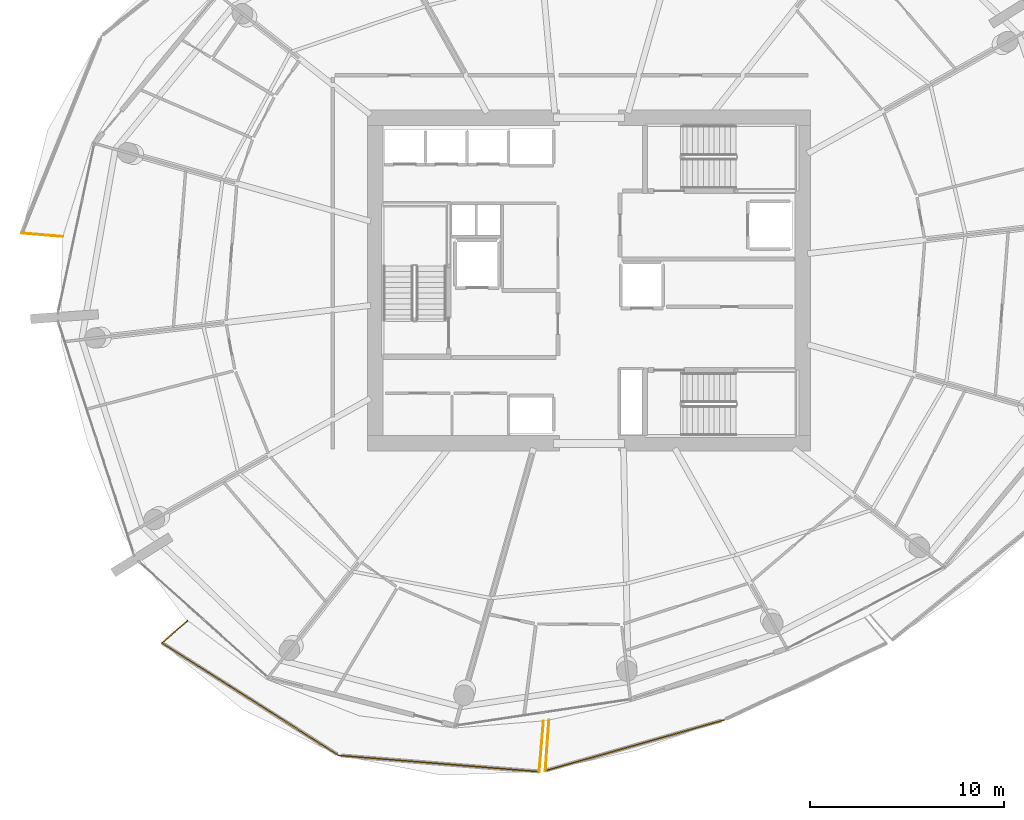
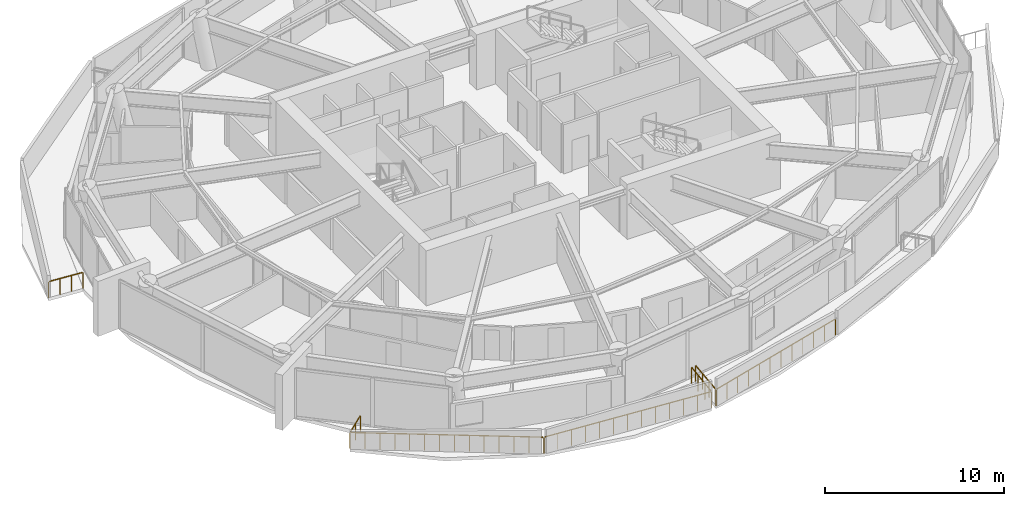
# One storey, part 15 of 19: 7 railings.
"""IFC4 building model written with IfcOpenShell, lengths in metres."""

import ifcopenshell
import ifcopenshell.guid

model = None  # the IFC model being written
_history = None  # IfcOwnerHistory: only IFC2X3 demands one
_inside = {}  # id of a spatial element -> (the spatial element, [elements in it])
_under = {}  # id of a project, library or spatial element -> (it, [spatial elements below it])
_declared = {}  # id of a project -> (the project, [libraries it declares])
_typed = {}  # id of a type object -> (the type object, [elements of that type])
_made_of = {}  # id of a material, layer set ... -> (it, [elements and type objects made of it])


def new_model(schema):
    """Start an empty IFC model of exactly this schema.

    Asked for "IFC4X3", IfcOpenShell would pick the latest addendum, in which some entities
    have other attributes; the version numbers below select the first issue.
    IFC2X3 requires an IfcOwnerHistory on every rooted entity: one is made here for all.
    """
    global model, _history
    if schema == "IFC4X3":
        model = ifcopenshell.file(schema_version=(4, 3, 0, 0))
    else:
        model = ifcopenshell.file(schema=schema)
    _inside.clear()
    _under.clear()
    _declared.clear()
    _typed.clear()
    _made_of.clear()
    _history = None
    if model.schema == "IFC2X3":
        org = make("IfcOrganization", Name="unknown")
        user = make(
            "IfcPersonAndOrganization",
            ThePerson=make("IfcPerson", FamilyName="unknown"),
            TheOrganization=org,
        )
        app = make(
            "IfcApplication",
            ApplicationDeveloper=org,
            Version="unknown",
            ApplicationFullName="unknown",
            ApplicationIdentifier="unknown",
        )
        _history = make(
            "IfcOwnerHistory",
            OwningUser=user,
            OwningApplication=app,
            ChangeAction="ADDED",
            CreationDate=0,
        )
    return model


def make(cls, **values):
    """One entity of the class cls with the attributes given. An attribute that is None is left unset."""
    return model.create_entity(
        cls, **{name: value for name, value in values.items() if value is not None}
    )


def rooted(cls, **values):
    """An entity with a GlobalId (a new one), such as an element, a storey or a relation."""
    return make(cls, GlobalId=ifcopenshell.guid.new(), OwnerHistory=_history, **values)


def si_unit(unit_type, name, prefix=None):
    """IfcSIUnit, for example si_unit("LENGTHUNIT", "METRE", prefix="MILLI")."""
    return make("IfcSIUnit", UnitType=unit_type, Prefix=prefix, Name=name)


def assignment(units):
    """IfcUnitAssignment: the units of a project."""
    return None if units is None else make("IfcUnitAssignment", Units=units)


def point(xyz):
    """IfcCartesianPoint."""
    return None if xyz is None else make("IfcCartesianPoint", Coordinates=xyz)


def direction(xyz):
    """IfcDirection."""
    return None if xyz is None else make("IfcDirection", DirectionRatios=xyz)


def frame(location, z_axis=None, x_axis=None):
    """IfcAxis2Placement3D, a coordinate frame: its origin and axes. An axis left out is left unset."""
    return make(
        "IfcAxis2Placement3D",
        Location=point(location),
        Axis=direction(z_axis),
        RefDirection=direction(x_axis),
    )


def frame_2d(location, x_axis=None):
    """IfcAxis2Placement2D, a coordinate frame in the plane: its origin and x axis."""
    return make(
        "IfcAxis2Placement2D", Location=point(location), RefDirection=direction(x_axis)
    )


def origin():
    """The frame at (0, 0, 0) with its axes left unset."""
    return frame((0.0, 0.0, 0.0))


def origin_2d():
    """The frame at (0, 0) in the plane with its x axis left unset."""
    return frame_2d((0.0, 0.0))


def place(relative_to, where):
    """IfcLocalPlacement: puts the frame where relative to a parent placement (None: the world)."""
    return make(
        "IfcLocalPlacement", PlacementRelTo=relative_to, RelativePlacement=where
    )


def context(
    kind, dimensions, precision=None, world=None, true_north=None, identifier=None
):
    """IfcGeometricRepresentationContext, for example the 3D "Model" context."""
    return make(
        "IfcGeometricRepresentationContext",
        ContextIdentifier=identifier,
        ContextType=kind,
        CoordinateSpaceDimension=dimensions,
        Precision=precision,
        WorldCoordinateSystem=world,
        TrueNorth=true_north,
    )


def subcontext(parent, identifier, kind, view, scale=None):
    """IfcGeometricRepresentationSubContext, for example "Body" below "Model"."""
    return make(
        "IfcGeometricRepresentationSubContext",
        ContextIdentifier=identifier,
        ContextType=kind,
        ParentContext=parent,
        TargetScale=scale,
        TargetView=view,
    )


def project(units=None, contexts=None):
    """IfcProject with its units and contexts."""
    return rooted(
        "IfcProject",
        Name="project",
        RepresentationContexts=contexts,
        UnitsInContext=assignment(units),
    )


def spatial(cls, under=None, at=None, **own):
    """A site, building, storey or space (cls), placed at a placement, below another one or the project."""
    s = rooted(cls, ObjectPlacement=at, **own)
    if under is not None:
        _under.setdefault(under.id(), (under, []))[1].append(s)
    return s


def profile(cls, at=None, kind="AREA", **sizes):
    """A parametric profile (cls). Its sizes go by their IFC names, for example OverallWidth=200.0."""
    return make(cls, ProfileType=kind, Position=at, **sizes)


def rectangle(**sizes):
    """IfcRectangleProfileDef."""
    return profile("IfcRectangleProfileDef", **sizes)


def extrude(swept, where, along, depth):
    """IfcExtrudedAreaSolid: the profile swept, set in the frame where, extruded along a direction by depth."""
    return make(
        "IfcExtrudedAreaSolid",
        SweptArea=swept,
        Position=where,
        ExtrudedDirection=direction(along),
        Depth=depth,
    )


def shape(context_of_items, identifier, shape_type, items):
    """IfcShapeRepresentation: the items that make up one representation, for example the "Body"."""
    return make(
        "IfcShapeRepresentation",
        ContextOfItems=context_of_items,
        RepresentationIdentifier=identifier,
        RepresentationType=shape_type,
        Items=items,
    )


def material(Name=None, Category=None):
    """IfcMaterial."""
    return make("IfcMaterial", Name=Name, Category=Category)


def made_of(thing, what):
    """Note that an element or type object is made of a material, layer set ...; save() writes the relation."""
    if what is not None:
        _made_of.setdefault(what.id(), (what, []))[1].append(thing)
    return thing


def type_object(cls, material=None, **own):
    """A type object (cls), such as IfcWallType, which elements share."""
    return made_of(rooted(cls, **own), material)


def element(
    cls,
    number,
    at=None,
    inside=None,
    cuts=None,
    type_object=None,
    material=None,
    context=None,
    identifier="Body",
    shape_type=None,
    held_by="IfcProductDefinitionShape",
    body=None,
    shapes=None,
    **own,
):
    """One element of the class cls, such as IfcWall. Its Tag is "e" and its number.

    at: its placement. inside: the storey or other place that contains it. cuts: it is an
    opening in that element (IfcRelVoidsElement). A single representation is given by context,
    identifier, shape_type and body (its items); several are given by shapes. held_by: the class
    of the entity that holds the representations. save() writes the other relations.
    """
    e = rooted(cls, Tag="e%d" % number, ObjectPlacement=at, **own)
    if body is not None:
        shapes = [shape(context, identifier, shape_type, body)]
    if shapes is not None:
        e.Representation = make(held_by, Representations=shapes)
    if inside is not None:
        _inside.setdefault(inside.id(), (inside, []))[1].append(e)
    if cuts is not None:
        rooted(
            "IfcRelVoidsElement", RelatingBuildingElement=cuts, RelatedOpeningElement=e
        )
    if type_object is not None:
        _typed.setdefault(type_object.id(), (type_object, []))[1].append(e)
    return made_of(e, material)


def aggregate(whole, parts):
    """IfcRelAggregates: a whole, such as a stair, and the parts it consists of."""
    return rooted("IfcRelAggregates", RelatingObject=whole, RelatedObjects=parts)


def save(model, path):
    """Write the relations noted so far, then the file.

    IfcRelAggregates (storeys below a building ...), IfcRelContainedInSpatialStructure (elements
    in a storey), IfcRelDefinesByType, IfcRelAssociatesMaterial and IfcRelDeclares: one each for
    every whole, place, type object, material and project.
    """
    for whole, parts in _under.values():
        aggregate(whole, parts)
    for where, things in _inside.values():
        rooted(
            "IfcRelContainedInSpatialStructure",
            RelatedElements=things,
            RelatingStructure=where,
        )
    for kind, things in _typed.values():
        rooted("IfcRelDefinesByType", RelatedObjects=things, RelatingType=kind)
    for what, things in _made_of.values():
        rooted("IfcRelAssociatesMaterial", RelatedObjects=things, RelatingMaterial=what)
    for by, libraries in _declared.values():
        rooted("IfcRelDeclares", RelatingContext=by, RelatedDefinitions=libraries)
    model.write(path)


model = new_model("IFC4")

# Units and contexts
model_context = context("Model", 3, precision=1e-05, world=origin(), true_north=direction((0.0, 1.0)))
body_context = subcontext(model_context, "Body", "Model", "MODEL_VIEW")
ifc_project = project(units=[si_unit("LENGTHUNIT", "METRE"), si_unit("AREAUNIT", "SQUARE_METRE"), si_unit("VOLUMEUNIT", "CUBIC_METRE"), si_unit("PLANEANGLEUNIT", "RADIAN"), si_unit("MASSUNIT", "GRAM", prefix="KILO")], contexts=[model_context])

# Site, building, storey
site_placement = place(None, origin())
site = spatial("IfcSite", under=ifc_project, at=site_placement, CompositionType="ELEMENT")
building_placement = place(site_placement, origin())
building = spatial("IfcBuilding", under=site, at=building_placement, Name="Kazma Halo Residences", CompositionType="ELEMENT")
storey_placement = place(building_placement, frame((0.0, 0.0, 172.800048828125)))
storey = spatial("IfcBuildingStorey", under=building, at=storey_placement, Name="L43", CompositionType="ELEMENT", Elevation=172.800048828125)

# Railings
ifc_material = material(Name="Aluminium AW-6063 T6 Brushed Cap Rail", Category="aluminium")
railing_type = type_object("IfcRailingType", Name="RLG-BAL-CAP-1120", PredefinedType="BALUSTRADE", material=ifc_material)
railing_1_placement = place(storey_placement, frame((19.146484375, 44.4482421875, 0.0)))
element("IfcRailing", 1, at=railing_1_placement, inside=storey, type_object=railing_type, Name="L43 NW wave balcony guard 4", PredefinedType="BALUSTRADE", context=body_context, shape_type="SweptSolid", body=[
    extrude(rectangle(XDim=0.050048828125, YDim=0.050048828125, at=origin_2d()), frame((0.04248046875, -0.003662109375, 1.09521484375), z_axis=(0.99641798838, -0.084564723334, 0.0), x_axis=(0.084564723334, 0.99641798838, 0.0)), (0.0, 0.0, 1.0), 2.042724609375),
    extrude(rectangle(XDim=0.0400390625, YDim=0.0400390625, at=origin_2d()), origin(), (0.0, 0.0, 1.0), 1.05810546875),
    extrude(rectangle(XDim=0.0400390625, YDim=0.0400390625, at=origin_2d()), frame((0.706787109375, -0.06005859375, 0.0)), (0.0, 0.0, 1.0), 1.05810546875),
    extrude(rectangle(XDim=0.0400390625, YDim=0.0400390625, at=origin_2d()), frame((1.413330078125, -0.119873046875, 0.0)), (0.0, 0.0, 1.0), 1.05810546875),
    extrude(rectangle(XDim=0.0400390625, YDim=0.0400390625, at=origin_2d()), frame((2.1201171875, -0.179931640625, 0.0)), (0.0, 0.0, 1.0), 1.05810546875),
])
railing_2_placement = place(storey_placement, frame((27.705322265625, 24.451416015625, 0.0)))
element("IfcRailing", 2, at=railing_2_placement, inside=storey, type_object=railing_type, Name="L43 SW wave balcony guard 1", PredefinedType="BALUSTRADE", context=body_context, shape_type="SweptSolid", body=[
    extrude(rectangle(XDim=0.050048828125, YDim=0.050048828125, at=origin_2d()), frame((-0.0322265625, -0.02783203125, 1.09521484375), z_axis=(-0.756385467326, -0.654126153595, 0.0), x_axis=(0.654126153595, -0.756385467326, 0.0)), (0.0, 0.0, 1.0), 1.672119140625),
    extrude(rectangle(XDim=0.0400390625, YDim=0.0400390625, at=origin_2d()), origin(), (0.0, 0.0, 1.0), 1.05810546875),
    extrude(rectangle(XDim=0.0400390625, YDim=0.0400390625, at=origin_2d()), frame((-0.66455078125, -0.57470703125, 0.0)), (0.0, 0.0, 1.0), 1.05810546875),
    extrude(rectangle(XDim=0.0400390625, YDim=0.0400390625, at=origin_2d()), frame((-1.3291015625, -1.1494140625, 0.0)), (0.0, 0.0, 1.0), 1.05810546875),
])
railing_3_placement = place(storey_placement, frame((26.376220703125, 23.302001953125, 0.0)))
element("IfcRailing", 3, at=railing_3_placement, inside=storey, type_object=railing_type, Name="L43 SW wave balcony guard 2", PredefinedType="BALUSTRADE", context=body_context, shape_type="SweptSolid", body=[
    extrude(rectangle(XDim=0.050048828125, YDim=0.050048828125, at=origin_2d()), frame((0.035888671875, -0.022705078125, 1.09521484375), z_axis=(0.844056806548, -0.53625377138, 0.0), x_axis=(0.53625377138, 0.844056806548, 0.0)), (0.0, 0.0, 1.0), 10.74169921875),
    extrude(rectangle(XDim=0.0400390625, YDim=0.0400390625, at=origin_2d()), origin(), (0.0, 0.0, 1.0), 1.05810546875),
    extrude(rectangle(XDim=0.0400390625, YDim=0.0400390625, at=origin_2d()), frame((0.702880859375, -0.446533203125, 0.0)), (0.0, 0.0, 1.0), 1.05810546875),
    extrude(rectangle(XDim=0.0400390625, YDim=0.0400390625, at=origin_2d()), frame((1.406005859375, -0.893310546875, 0.0)), (0.0, 0.0, 1.0), 1.05810546875),
    extrude(rectangle(XDim=0.0400390625, YDim=0.0400390625, at=origin_2d()), frame((2.10888671875, -1.33984375, 0.0)), (0.0, 0.0, 1.0), 1.05810546875),
    extrude(rectangle(XDim=0.0400390625, YDim=0.0400390625, at=origin_2d()), frame((2.811767578125, -1.786376953125, 0.0)), (0.0, 0.0, 1.0), 1.05810546875),
    extrude(rectangle(XDim=0.0400390625, YDim=0.0400390625, at=origin_2d()), frame((3.514892578125, -2.233154296875, 0.0)), (0.0, 0.0, 1.0), 1.05810546875),
    extrude(rectangle(XDim=0.0400390625, YDim=0.0400390625, at=origin_2d()), frame((4.2177734375, -2.6796875, 0.0)), (0.0, 0.0, 1.0), 1.05810546875),
    extrude(rectangle(XDim=0.0400390625, YDim=0.0400390625, at=origin_2d()), frame((4.920654296875, -3.126220703125, 0.0)), (0.0, 0.0, 1.0), 1.05810546875),
    extrude(rectangle(XDim=0.0400390625, YDim=0.0400390625, at=origin_2d()), frame((5.62353515625, -3.57275390625, 0.0)), (0.0, 0.0, 1.0), 1.05810546875),
    extrude(rectangle(XDim=0.0400390625, YDim=0.0400390625, at=origin_2d()), frame((6.32666015625, -4.01953125, 0.0)), (0.0, 0.0, 1.0), 1.05810546875),
    extrude(rectangle(XDim=0.0400390625, YDim=0.0400390625, at=origin_2d()), frame((7.029541015625, -4.466064453125, 0.0)), (0.0, 0.0, 1.0), 1.05810546875),
    extrude(rectangle(XDim=0.0400390625, YDim=0.0400390625, at=origin_2d()), frame((7.732421875, -4.91259765625, 0.0)), (0.0, 0.0, 1.0), 1.05810546875),
    extrude(rectangle(XDim=0.0400390625, YDim=0.0400390625, at=origin_2d()), frame((8.435546875, -5.359375, 0.0)), (0.0, 0.0, 1.0), 1.05810546875),
    extrude(rectangle(XDim=0.0400390625, YDim=0.0400390625, at=origin_2d()), frame((9.138427734375, -5.805908203125, 0.0)), (0.0, 0.0, 1.0), 1.05810546875),
])
railing_4_placement = place(storey_placement, frame((35.5146484375, 17.49609375, 0.0)))
element("IfcRailing", 4, at=railing_4_placement, inside=storey, type_object=railing_type, Name="L43 SW wave balcony guard 3", PredefinedType="BALUSTRADE", context=body_context, shape_type="SweptSolid", body=[
    extrude(rectangle(XDim=0.050048828125, YDim=0.050048828125, at=origin_2d()), frame((0.04248046875, -0.00341796875, 1.09521484375), z_axis=(0.996744970525, -0.080619251626, 0.0), x_axis=(0.080619251626, 0.996744970525, 0.0)), (0.0, 0.0, 1.0), 10.283935546875),
    extrude(rectangle(XDim=0.0400390625, YDim=0.0400390625, at=origin_2d()), origin(), (0.0, 0.0, 1.0), 1.05810546875),
    extrude(rectangle(XDim=0.0400390625, YDim=0.0400390625, at=origin_2d()), frame((0.861328125, -0.069580078125, 0.0)), (0.0, 0.0, 1.0), 1.05810546875),
    extrude(rectangle(XDim=0.0400390625, YDim=0.0400390625, at=origin_2d()), frame((1.72265625, -0.139404296875, 0.0)), (0.0, 0.0, 1.0), 1.05810546875),
    extrude(rectangle(XDim=0.0400390625, YDim=0.0400390625, at=origin_2d()), frame((2.583740234375, -0.208984375, 0.0)), (0.0, 0.0, 1.0), 1.05810546875),
    extrude(rectangle(XDim=0.0400390625, YDim=0.0400390625, at=origin_2d()), frame((3.445068359375, -0.278564453125, 0.0)), (0.0, 0.0, 1.0), 1.05810546875),
    extrude(rectangle(XDim=0.0400390625, YDim=0.0400390625, at=origin_2d()), frame((4.306396484375, -0.348388671875, 0.0)), (0.0, 0.0, 1.0), 1.05810546875),
    extrude(rectangle(XDim=0.0400390625, YDim=0.0400390625, at=origin_2d()), frame((5.16748046875, -0.41796875, 0.0)), (0.0, 0.0, 1.0), 1.05810546875),
    extrude(rectangle(XDim=0.0400390625, YDim=0.0400390625, at=origin_2d()), frame((6.02880859375, -0.487548828125, 0.0)), (0.0, 0.0, 1.0), 1.05810546875),
    extrude(rectangle(XDim=0.0400390625, YDim=0.0400390625, at=origin_2d()), frame((6.89013671875, -0.557373046875, 0.0)), (0.0, 0.0, 1.0), 1.05810546875),
    extrude(rectangle(XDim=0.0400390625, YDim=0.0400390625, at=origin_2d()), frame((7.75146484375, -0.626953125, 0.0)), (0.0, 0.0, 1.0), 1.05810546875),
    extrude(rectangle(XDim=0.0400390625, YDim=0.0400390625, at=origin_2d()), frame((8.61279296875, -0.696533203125, 0.0)), (0.0, 0.0, 1.0), 1.05810546875),
    extrude(rectangle(XDim=0.0400390625, YDim=0.0400390625, at=origin_2d()), frame((9.473876953125, -0.766357421875, 0.0)), (0.0, 0.0, 1.0), 1.05810546875),
    extrude(rectangle(XDim=0.0400390625, YDim=0.0400390625, at=origin_2d()), frame((10.335205078125, -0.8359375, 0.0)), (0.0, 0.0, 1.0), 1.05810546875),
])
railing_5_placement = place(storey_placement, frame((45.849853515625, 16.66015625, 0.0)))
element("IfcRailing", 5, at=railing_5_placement, inside=storey, type_object=railing_type, Name="L43 SW wave balcony guard 4", PredefinedType="BALUSTRADE", context=body_context, shape_type="SweptSolid", body=[
    extrude(rectangle(XDim=0.050048828125, YDim=0.050048828125, at=origin_2d()), frame((0.003662109375, 0.04248046875, 1.09521484375), z_axis=(0.084513405862, 0.996422342298, 0.0), x_axis=(-0.996422342298, 0.084513405862, 0.0)), (0.0, 0.0, 1.0), 2.543701171875),
    extrude(rectangle(XDim=0.0400390625, YDim=0.0400390625, at=origin_2d()), origin(), (0.0, 0.0, 1.0), 1.05810546875),
    extrude(rectangle(XDim=0.0400390625, YDim=0.0400390625, at=origin_2d()), frame((0.073974609375, 0.873046875, 0.0)), (0.0, 0.0, 1.0), 1.05810546875),
    extrude(rectangle(XDim=0.0400390625, YDim=0.0400390625, at=origin_2d()), frame((0.148193359375, 1.746337890625, 0.0)), (0.0, 0.0, 1.0), 1.05810546875),
    extrude(rectangle(XDim=0.0400390625, YDim=0.0400390625, at=origin_2d()), frame((0.22216796875, 2.619384765625, 0.0)), (0.0, 0.0, 1.0), 1.05810546875),
])
railing_6_placement = place(storey_placement, frame((46.3544921875, 19.32177734375, 0.0)))
element("IfcRailing", 6, at=railing_6_placement, inside=storey, type_object=railing_type, Name="L43 SSE wave balcony guard 1", PredefinedType="BALUSTRADE", context=body_context, shape_type="SweptSolid", body=[
    extrude(rectangle(XDim=0.050048828125, YDim=0.050048828125, at=origin_2d()), frame((-0.003173828125, -0.04248046875, 1.09521484375), z_axis=(-0.072377534265, -0.997377307008, 0.0), x_axis=(0.997377307008, -0.072377534265, 0.0)), (0.0, 0.0, 1.0), 2.539306640625),
    extrude(rectangle(XDim=0.0400390625, YDim=0.0400390625, at=origin_2d()), origin(), (0.0, 0.0, 1.0), 1.05810546875),
    extrude(rectangle(XDim=0.0400390625, YDim=0.0400390625, at=origin_2d()), frame((-0.063232421875, -0.87255859375, 0.0)), (0.0, 0.0, 1.0), 1.05810546875),
    extrude(rectangle(XDim=0.0400390625, YDim=0.0400390625, at=origin_2d()), frame((-0.126708984375, -1.744873046875, 0.0)), (0.0, 0.0, 1.0), 1.05810546875),
    extrude(rectangle(XDim=0.0400390625, YDim=0.0400390625, at=origin_2d()), frame((-0.18994140625, -2.617431640625, 0.0)), (0.0, 0.0, 1.0), 1.05810546875),
])
railing_7_placement = place(storey_placement, frame((46.16455078125, 16.704345703125, 0.0)))
element("IfcRailing", 7, at=railing_7_placement, inside=storey, type_object=railing_type, Name="L43 SSE wave balcony guard 2", PredefinedType="BALUSTRADE", context=body_context, shape_type="SweptSolid", body=[
    extrude(rectangle(XDim=0.050048828125, YDim=0.050048828125, at=origin_2d()), frame((0.041015625, 0.01171875, 1.09521484375), z_axis=(0.961898536708, 0.273406666119, 0.0), x_axis=(-0.273406666119, 0.961898536708, 0.0)), (0.0, 0.0, 1.0), 9.48388671875),
    extrude(rectangle(XDim=0.0400390625, YDim=0.0400390625, at=origin_2d()), origin(), (0.0, 0.0, 1.0), 1.05810546875),
    extrude(rectangle(XDim=0.0400390625, YDim=0.0400390625, at=origin_2d()), frame((0.836669921875, 0.23779296875, 0.0)), (0.0, 0.0, 1.0), 1.05810546875),
    extrude(rectangle(XDim=0.0400390625, YDim=0.0400390625, at=origin_2d()), frame((1.673583984375, 0.4755859375, 0.0)), (0.0, 0.0, 1.0), 1.05810546875),
    extrude(rectangle(XDim=0.0400390625, YDim=0.0400390625, at=origin_2d()), frame((2.51025390625, 0.713623046875, 0.0)), (0.0, 0.0, 1.0), 1.05810546875),
    extrude(rectangle(XDim=0.0400390625, YDim=0.0400390625, at=origin_2d()), frame((3.346923828125, 0.951416015625, 0.0)), (0.0, 0.0, 1.0), 1.05810546875),
    extrude(rectangle(XDim=0.0400390625, YDim=0.0400390625, at=origin_2d()), frame((4.183837890625, 1.189208984375, 0.0)), (0.0, 0.0, 1.0), 1.05810546875),
    extrude(rectangle(XDim=0.0400390625, YDim=0.0400390625, at=origin_2d()), frame((5.0205078125, 1.427001953125, 0.0)), (0.0, 0.0, 1.0), 1.05810546875),
    extrude(rectangle(XDim=0.0400390625, YDim=0.0400390625, at=origin_2d()), frame((5.857421875, 1.664794921875, 0.0)), (0.0, 0.0, 1.0), 1.05810546875),
    extrude(rectangle(XDim=0.0400390625, YDim=0.0400390625, at=origin_2d()), frame((6.694091796875, 1.902587890625, 0.0)), (0.0, 0.0, 1.0), 1.05810546875),
    extrude(rectangle(XDim=0.0400390625, YDim=0.0400390625, at=origin_2d()), frame((7.53076171875, 2.140625, 0.0)), (0.0, 0.0, 1.0), 1.05810546875),
    extrude(rectangle(XDim=0.0400390625, YDim=0.0400390625, at=origin_2d()), frame((8.36767578125, 2.37841796875, 0.0)), (0.0, 0.0, 1.0), 1.05810546875),
    extrude(rectangle(XDim=0.0400390625, YDim=0.0400390625, at=origin_2d()), frame((9.204345703125, 2.6162109375, 0.0)), (0.0, 0.0, 1.0), 1.05810546875),
])

save(model, "model.ifc")
